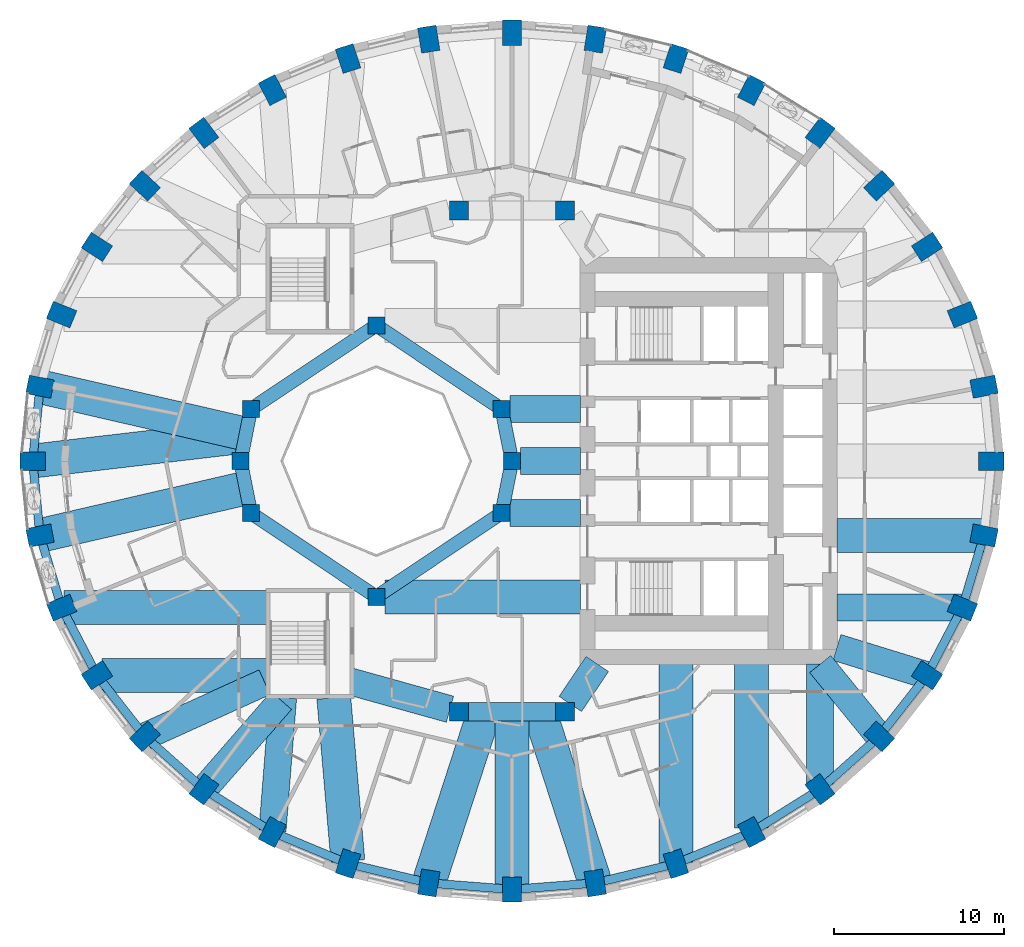
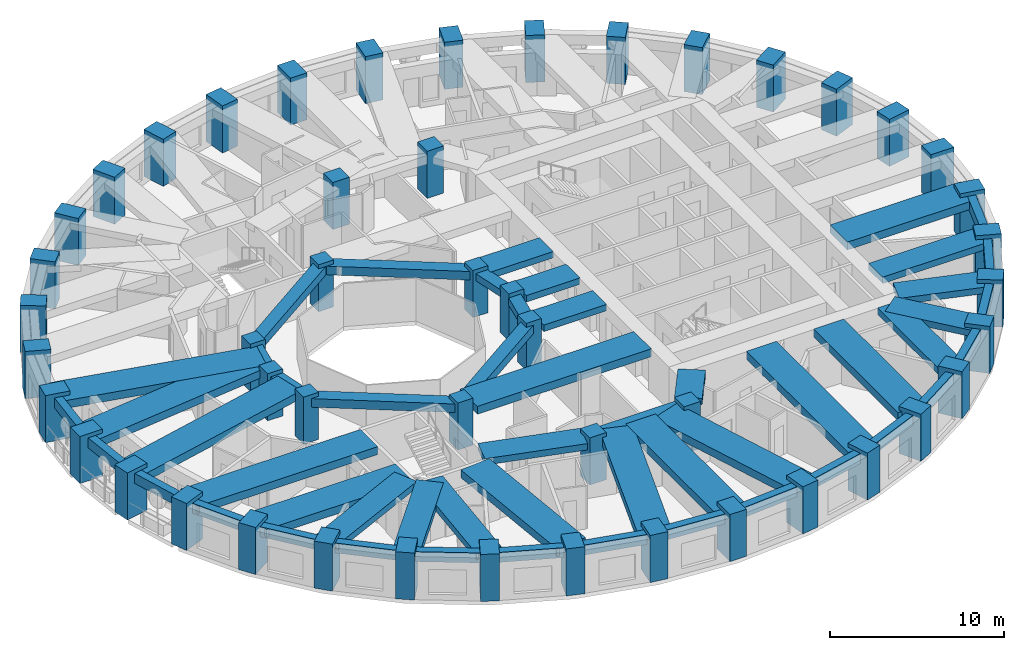
# One storey, part 1 of 14: 52 beams, 48 columns.
"""IFC4 building model written with IfcOpenShell, lengths in metres."""

from ifc_helpers import new_model, si_unit, direction, frame, origin, origin_2d, place, context, subcontext, project, spatial, rectangle, extrude, material, material_profile, profile_set, type_object, element, save


model = new_model("IFC4")

# Units and contexts
model_context = context("Model", 3, precision=1e-05, world=origin(), true_north=direction((0.0, 1.0)))
body_context = subcontext(model_context, "Body", "Model", "MODEL_VIEW")
ifc_project = project(units=[si_unit("LENGTHUNIT", "METRE"), si_unit("AREAUNIT", "SQUARE_METRE"), si_unit("VOLUMEUNIT", "CUBIC_METRE"), si_unit("PLANEANGLEUNIT", "RADIAN"), si_unit("MASSUNIT", "GRAM", prefix="KILO")], contexts=[model_context])

# Site, building, storey
site_placement = place(None, origin())
site = spatial("IfcSite", under=ifc_project, at=site_placement, CompositionType="ELEMENT")
building_placement = place(site_placement, origin())
building = spatial("IfcBuilding", under=site, at=building_placement, Name="Taillehof Tower", CompositionType="ELEMENT")
storey_placement = place(building_placement, frame((0.0, 0.0, 21.699951171875)))
storey = spatial("IfcBuildingStorey", under=building, at=storey_placement, Name="L04", CompositionType="ELEMENT", Elevation=21.699951171875)

# Columns
ifc_material_1 = material(Name="Concrete C50/60", Category="concrete")
ifc_material_profile_1 = material_profile(ifc_material_1, rectangle(XDim=1.0, YDim=1.0, at=origin_2d()), Name="RC 1000x1000")
ifc_profile_set_1 = profile_set([ifc_material_profile_1], Name="Concrete C50/60")
column_type_1 = type_object("IfcColumnType", Name="Atrium ring column C50/60 1000x1000", PredefinedType="COLUMN", material=ifc_profile_set_1)
for number, where, z_axis, x_axis, name in (
    (1, (0.0, 0.0, 0.0), (0.0, 0.0, 1.0), (1.0, 0.0, 0.0), "Column AC01"),
    (2, (-8.0, 8.0, 0.0), (0.0, 0.0, 1.0), (1.0, 0.0, 0.0), "Column AC05"),
    (3, (-16.0, 0.0, 0.0), (0.0, 0.0, 1.0), (1.0, 0.0, 0.0), "Column AC09"),
    (4, (-8.0, -8.0, 0.0), (0.0, 0.0, 1.0), (1.0, 0.0, 0.0), "Column AC13"),
):
    element("IfcColumn", number, at=place(storey_placement, frame(where, z_axis=z_axis, x_axis=x_axis)), inside=storey, type_object=column_type_1, Name=name, PredefinedType="COLUMN", context=body_context, shape_type="SweptSolid", body=[
        extrude(rectangle(XDim=1.0, YDim=1.0, at=origin_2d()), origin(), (0.0, 0.0, 1.0), 3.300048828125),
    ])
ifc_material_2 = material(Name="Concrete C60/75", Category="concrete")
ifc_material_profile_2 = material_profile(ifc_material_2, rectangle(XDim=1.0, YDim=1.0, at=origin_2d()), Name="RC 1000x1000")
ifc_profile_set_2 = profile_set([ifc_material_profile_2], Name="Concrete C60/75")
column_type_2 = type_object("IfcColumnType", Name="Atrium ring column C60/75 1000x1000", PredefinedType="COLUMN", material=ifc_profile_set_2)
for number, where, z_axis, x_axis, name in (
    (5, (-0.60888671875, 3.0615234375, 0.0), (0.0, 0.0, 1.0), (1.0, 0.0, 0.0), "Column AC02"),
    (6, (-15.39111328125, 3.0615234375, 0.0), (0.0, 0.0, 1.0), (1.0, 0.0, 0.0), "Column AC08"),
    (7, (-15.39111328125, -3.0615234375, 0.0), (0.0, 0.0, 1.0), (1.0, 0.0, 0.0), "Column AC10"),
    (8, (-0.60888671875, -3.0615234375, 0.0), (0.0, 0.0, 1.0), (1.0, 0.0, 0.0), "Column AC16"),
):
    element("IfcColumn", number, at=place(storey_placement, frame(where, z_axis=z_axis, x_axis=x_axis)), inside=storey, type_object=column_type_2, Name=name, PredefinedType="COLUMN", context=body_context, shape_type="SweptSolid", body=[
        extrude(rectangle(XDim=1.0, YDim=1.0, at=origin_2d()), origin(), (0.0, 0.0, 1.0), 3.300048828125),
    ])
ifc_material_3 = material(Name="Concrete C60/75", Category="concrete")
ifc_material_profile_3 = material_profile(ifc_material_3, rectangle(XDim=1.10009765625, YDim=1.10009765625, at=origin_2d()), Name="RC 1100x1100")
ifc_profile_set_3 = profile_set([ifc_material_profile_3], Name="Concrete C60/75")
column_type_3 = type_object("IfcColumnType", Name="Mid-ring column C60/75 1100x1100", PredefinedType="COLUMN", material=ifc_profile_set_3)
for number, where, z_axis, x_axis, name in (
    (9, (3.125732421875, 14.772216796875, 0.0), (0.0, 0.0, 1.0), (1.0, 0.0, 0.0), "Column MC05"),
    (10, (3.125732421875, -14.772216796875, 0.0), (0.0, 0.0, 1.0), (1.0, 0.0, 0.0), "Column MC15"),
):
    element("IfcColumn", number, at=place(storey_placement, frame(where, z_axis=z_axis, x_axis=x_axis)), inside=storey, type_object=column_type_3, Name=name, PredefinedType="COLUMN", context=body_context, shape_type="SweptSolid", body=[
        extrude(rectangle(XDim=1.10009765625, YDim=1.10009765625, at=origin_2d()), origin(), (0.0, 0.0, 1.0), 3.300048828125),
    ])
ifc_material_4 = material(Name="Concrete C80/95", Category="concrete")
ifc_material_profile_4 = material_profile(ifc_material_4, rectangle(XDim=1.10009765625, YDim=1.10009765625, at=origin_2d()), Name="RC 1100x1100")
ifc_profile_set_4 = profile_set([ifc_material_profile_4], Name="Concrete C80/95")
column_type_4 = type_object("IfcColumnType", Name="Mid-ring column C80/95 1100x1100", PredefinedType="COLUMN", material=ifc_profile_set_4)
for number, where, z_axis, x_axis, name in (
    (11, (-3.125732421875, 14.772216796875, 0.0), (0.0, 0.0, 1.0), (1.0, 0.0, 0.0), "Column MC06"),
    (12, (-3.125732421875, -14.772216796875, 0.0), (0.0, 0.0, 1.0), (1.0, 0.0, 0.0), "Column MC14"),
):
    element("IfcColumn", number, at=place(storey_placement, frame(where, z_axis=z_axis, x_axis=x_axis)), inside=storey, type_object=column_type_4, Name=name, PredefinedType="COLUMN", context=body_context, shape_type="SweptSolid", body=[
        extrude(rectangle(XDim=1.10009765625, YDim=1.10009765625, at=origin_2d()), origin(), (0.0, 0.0, 1.0), 3.300048828125),
    ])
ifc_material_5 = material(Name="Concrete C70/85", Category="concrete")
ifc_material_profile_5 = material_profile(ifc_material_5, rectangle(XDim=1.5, YDim=1.10009765625, at=origin_2d()), Name="RC 1500x1100")
ifc_profile_set_5 = profile_set([ifc_material_profile_5], Name="Concrete C70/85")
column_type_5 = type_object("IfcColumnType", Name="Ring column C70/85 1500x1100", PredefinedType="COLUMN", material=ifc_profile_set_5)
for number, where, z_axis, x_axis, name in (
    (13, (28.25, 0.0, 0.0), (0.0, 0.0, 1.0), (1.0, 0.0, 0.0), "Ring column RC01"),
    (14, (27.82080078125, 4.384521484375, 0.0), (0.0, 0.0, 1.0), (0.98120354895, 0.192975634545, 0.0), "Ring column RC02"),
    (15, (26.54638671875, 8.635986328125, 0.0), (0.0, 0.0, 1.0), (0.926558045297, 0.37615181602, 0.0), "Ring column RC03"),
    (16, (24.46533203125, 12.625, 0.0), (0.0, 0.0, 1.0), (0.840753565229, 0.541417992456, 0.0), "Ring column RC04"),
    (17, (21.640869140625, 16.23046875, 0.0), (0.0, 0.0, 1.0), (0.730113022917, 0.683326403535, 0.0), "Ring column RC05"),
    (18, (18.15869140625, 19.342529296875, 0.0), (0.0, 0.0, 1.0), (0.601173783055, 0.79911831575, 0.0), "Ring column RC06"),
    (19, (14.125, 21.8671875, 0.0), (0.0, 0.0, 1.0), (0.459691308511, 0.888078769524, 0.0), "Ring column RC07"),
    (20, (9.662109375, 23.727294921875, 0.0), (0.0, 0.0, 1.0), (0.310219183529, 0.950665060981, 0.0), "Ring column RC08"),
    (21, (4.905517578125, 24.866455078125, 0.0), (0.0, 0.0, 1.0), (0.15614709407, 0.987733812833, 0.0), "Ring column RC09"),
    (22, (0.0, 25.25, 0.0), (0.0, 0.0, 1.0), (0.0, 1.0, 0.0), "Ring column RC10"),
    (23, (-4.905517578125, 24.866455078125, 0.0), (0.0, 0.0, 1.0), (-0.15614709407, 0.987733812833, 0.0), "Ring column RC11"),
    (24, (-9.662109375, 23.727294921875, 0.0), (0.0, 0.0, 1.0), (-0.310219183529, 0.950665060981, 0.0), "Ring column RC12"),
    (25, (-14.125, 21.8671875, 0.0), (0.0, 0.0, 1.0), (-0.459691308511, 0.888078769524, 0.0), "Ring column RC13"),
    (26, (-18.15869140625, 19.342529296875, 0.0), (0.0, 0.0, 1.0), (-0.601173783055, 0.79911831575, 0.0), "Ring column RC14"),
    (27, (-21.640869140625, 16.23046875, 0.0), (0.0, 0.0, 1.0), (-0.730113022917, 0.683326403535, 0.0), "Ring column RC15"),
    (28, (-24.46533203125, 12.625, 0.0), (0.0, 0.0, 1.0), (-0.840753565229, 0.541417992456, 0.0), "Ring column RC16"),
    (29, (-26.54638671875, 8.635986328125, 0.0), (0.0, 0.0, 1.0), (-0.926558045297, 0.37615181602, 0.0), "Ring column RC17"),
    (30, (-27.82080078125, 4.384521484375, 0.0), (0.0, 0.0, 1.0), (-0.98120354895, 0.192975634545, 0.0), "Ring column RC18"),
    (31, (-28.25, 0.0, 0.0), (0.0, 0.0, 1.0), (-1.0, 0.0, 0.0), "Ring column RC19"),
    (32, (-27.82080078125, -4.384521484375, 0.0), (0.0, 0.0, 1.0), (-0.98120354895, -0.192975634545, 0.0), "Ring column RC20"),
    (33, (-26.54638671875, -8.635986328125, 0.0), (0.0, 0.0, 1.0), (-0.926558045297, -0.37615181602, 0.0), "Ring column RC21"),
    (34, (-24.46533203125, -12.625, 0.0), (0.0, 0.0, 1.0), (-0.840753565229, -0.541417992456, 0.0), "Ring column RC22"),
    (35, (-21.640869140625, -16.23046875, 0.0), (0.0, 0.0, 1.0), (-0.730113022917, -0.683326403535, 0.0), "Ring column RC23"),
    (36, (-18.15869140625, -19.342529296875, 0.0), (0.0, 0.0, 1.0), (-0.601173783055, -0.79911831575, 0.0), "Ring column RC24"),
    (37, (-14.125, -21.8671875, 0.0), (0.0, 0.0, 1.0), (-0.459691308511, -0.888078769524, 0.0), "Ring column RC25"),
    (38, (-9.662109375, -23.727294921875, 0.0), (0.0, 0.0, 1.0), (-0.310219183529, -0.950665060981, 0.0), "Ring column RC26"),
    (39, (-4.905517578125, -24.866455078125, 0.0), (0.0, 0.0, 1.0), (-0.15614709407, -0.987733812833, 0.0), "Ring column RC27"),
    (40, (0.0, -25.25, 0.0), (0.0, 0.0, 1.0), (0.0, -1.0, 0.0), "Ring column RC28"),
    (41, (4.905517578125, -24.866455078125, 0.0), (0.0, 0.0, 1.0), (0.15614709407, -0.987733812833, 0.0), "Ring column RC29"),
    (42, (9.662109375, -23.727294921875, 0.0), (0.0, 0.0, 1.0), (0.310219183529, -0.950665060981, 0.0), "Ring column RC30"),
    (43, (14.125, -21.8671875, 0.0), (0.0, 0.0, 1.0), (0.459691308511, -0.888078769524, 0.0), "Ring column RC31"),
    (44, (18.15869140625, -19.342529296875, 0.0), (0.0, 0.0, 1.0), (0.601173783055, -0.79911831575, 0.0), "Ring column RC32"),
    (45, (21.640869140625, -16.23046875, 0.0), (0.0, 0.0, 1.0), (0.730113022917, -0.683326403535, 0.0), "Ring column RC33"),
    (46, (24.46533203125, -12.625, 0.0), (0.0, 0.0, 1.0), (0.840753565229, -0.541417992456, 0.0), "Ring column RC34"),
    (47, (26.54638671875, -8.635986328125, 0.0), (0.0, 0.0, 1.0), (0.926558045297, -0.37615181602, 0.0), "Ring column RC35"),
    (48, (27.82080078125, -4.384521484375, 0.0), (0.0, 0.0, 1.0), (0.98120354895, -0.192975634545, 0.0), "Ring column RC36"),
):
    element("IfcColumn", number, at=place(storey_placement, frame(where, z_axis=z_axis, x_axis=x_axis)), inside=storey, type_object=column_type_5, Name=name, PredefinedType="COLUMN", context=body_context, shape_type="SweptSolid", body=[
        extrude(rectangle(XDim=1.5, YDim=1.10009765625, at=origin_2d()), origin(), (0.0, 0.0, 1.0), 3.300048828125),
    ])

# Beams
ifc_material_6 = material(Name="Concrete C50/60", Category="concrete")
ifc_material_profile_6 = material_profile(ifc_material_6, rectangle(XDim=0.800048828125, YDim=0.5, at=origin_2d()), Name="RC 800x500")
ifc_profile_set_6 = profile_set([ifc_material_profile_6], Name="Concrete C50/60")
beam_type_1 = type_object("IfcBeamType", Name="Atrium ring beam C50/60 800x500", PredefinedType="BEAM", material=ifc_profile_set_6)
for number, where, z_axis, x_axis, name in (
    (49, (0.0, 0.0, 2.77001953125), (-0.195063155143, 0.980790683839, 0.0), (-0.980790683839, -0.195063155143, 0.0), "Atrium ring beam AB01"),
    (50, (-15.39111328125, 3.0615234375, 2.77001953125), (-0.195063155143, -0.980790683839, 0.0), (0.980790683839, -0.195063155143, 0.0), "Atrium ring beam AB04"),
    (51, (-16.0, 0.0, 2.77001953125), (0.195063155143, -0.980790683839, 0.0), (0.980790683839, 0.195063155143, 0.0), "Atrium ring beam AB05"),
    (52, (-0.60888671875, -3.0615234375, 2.77001953125), (0.195063155143, 0.980790683839, 0.0), (-0.980790683839, 0.195063155143, 0.0), "Atrium ring beam AB08"),
):
    element("IfcBeam", number, at=place(storey_placement, frame(where, z_axis=z_axis, x_axis=x_axis)), inside=storey, type_object=beam_type_1, Name=name, PredefinedType="BEAM", context=body_context, shape_type="SweptSolid", body=[
        extrude(rectangle(XDim=0.800048828125, YDim=0.5, at=origin_2d()), origin(), (0.0, 0.0, 1.0), 3.12158203125),
    ])
ifc_material_7 = material(Name="Concrete C50/60", Category="concrete")
ifc_material_profile_7 = material_profile(ifc_material_7, rectangle(XDim=0.800048828125, YDim=0.60009765625, at=origin_2d()), Name="RC 800x600")
ifc_profile_set_7 = profile_set([ifc_material_profile_7], Name="Concrete C50/60")
beam_type_2 = type_object("IfcBeamType", Name="Atrium ring beam C50/60 800x600", PredefinedType="BEAM", material=ifc_profile_set_7)
for number, where, z_axis, x_axis, name in (
    (53, (-0.60888671875, 3.0615234375, 2.719970703125), (-0.831475195687, 0.555561876804, 0.0), (-0.555561876804, -0.831475195687, 0.0), "Atrium ring beam AB02"),
    (54, (-8.0, 8.0, 2.719970703125), (-0.831475195687, -0.555561876804, 0.0), (0.555561876804, -0.831475195687, 0.0), "Atrium ring beam AB03"),
    (55, (-15.39111328125, -3.0615234375, 2.719970703125), (0.831475195687, -0.555561876804, 0.0), (0.555561876804, 0.831475195687, 0.0), "Atrium ring beam AB06"),
    (56, (-8.0, -8.0, 2.719970703125), (0.831475195687, 0.555561876804, 0.0), (-0.555561876804, 0.831475195687, 0.0), "Atrium ring beam AB07"),
):
    element("IfcBeam", number, at=place(storey_placement, frame(where, z_axis=z_axis, x_axis=x_axis)), inside=storey, type_object=beam_type_2, Name=name, PredefinedType="BEAM", context=body_context, shape_type="SweptSolid", body=[
        extrude(rectangle(XDim=0.800048828125, YDim=0.60009765625, at=origin_2d()), origin(), (0.0, 0.0, 1.0), 8.88916015625),
    ])
ifc_material_8 = material(Name="Concrete C50/60", Category="concrete")
ifc_material_profile_8 = material_profile(ifc_material_8, rectangle(XDim=1.10009765625, YDim=0.60009765625, at=origin_2d()), Name="RC 1100x600")
ifc_profile_set_8 = profile_set([ifc_material_profile_8], Name="Concrete C50/60")
beam_type_3 = type_object("IfcBeamType", Name="Mid-ring beam C50/60 1100x600", PredefinedType="BEAM", material=ifc_profile_set_8)
beam_1_placement = place(storey_placement, frame((-3.125732421875, -14.772216796875, 2.719970703125), z_axis=(1.0, 0.0, 0.0), x_axis=(0.0, 1.0, 0.0)))
element("IfcBeam", 57, at=beam_1_placement, inside=storey, type_object=beam_type_3, Name="Mid-ring beam MB02", PredefinedType="BEAM", context=body_context, shape_type="SweptSolid", body=[
    extrude(rectangle(XDim=1.10009765625, YDim=0.60009765625, at=origin_2d()), origin(), (0.0, 0.0, 1.0), 6.25146484375),
])
ifc_material_9 = material(Name="Concrete C50/60", Category="concrete")
ifc_material_profile_9 = material_profile(ifc_material_9, rectangle(XDim=1.60009765625, YDim=0.449951171875, at=origin_2d()), Name="RC 1600x450")
ifc_profile_set_9 = profile_set([ifc_material_profile_9], Name="Concrete C50/60")
beam_type_4 = type_object("IfcBeamType", Name="Radial band beam C50/60 1600x450", PredefinedType="BEAM", material=ifc_profile_set_9)
beam_2_placement = place(storey_placement, frame((-21.632568359375, -16.226806640625, 2.795166015625), z_axis=(0.911100590789, 0.412184077161, 0.0), x_axis=(-0.412184077161, 0.911100590789, 0.0)))
element("IfcBeam", 58, at=beam_2_placement, inside=storey, type_object=beam_type_4, Name="Radial band beam RB23", PredefinedType="BEAM", context=body_context, shape_type="SweptSolid", body=[
    extrude(rectangle(XDim=1.60009765625, YDim=0.449951171875, at=origin_2d()), origin(), (0.0, 0.0, 1.0), 7.740966796875),
])
beam_3_placement = place(storey_placement, frame((-18.15869140625, -19.342529296875, 2.795166015625), z_axis=(0.65721824087, 0.753700327628, 0.0), x_axis=(-0.753700327628, 0.65721824087, 0.0)))
element("IfcBeam", 59, at=beam_3_placement, inside=storey, type_object=beam_type_4, Name="Radial band beam RB24", PredefinedType="BEAM", context=body_context, shape_type="SweptSolid", body=[
    extrude(rectangle(XDim=1.60009765625, YDim=0.449951171875, at=origin_2d()), origin(), (0.0, 0.0, 1.0), 6.9384765625),
])
beam_4_placement = place(storey_placement, frame((-14.119873046875, -21.802978515625, 2.795166015625), z_axis=(0.079184740988, 0.996859958467, 0.0), x_axis=(-0.996859958467, 0.079184740988, 0.0)))
element("IfcBeam", 60, at=beam_4_placement, inside=storey, type_object=beam_type_4, Name="Radial band beam RB25", PredefinedType="BEAM", context=body_context, shape_type="SweptSolid", body=[
    extrude(rectangle(XDim=1.60009765625, YDim=0.449951171875, at=origin_2d()), origin(), (0.0, 0.0, 1.0), 7.87744140625),
])
beam_5_placement = place(storey_placement, frame((18.15869140625, -19.05517578125, 2.795166015625), z_axis=(0.0, 1.0, 0.0), x_axis=(-1.0, 0.0, 0.0)))
element("IfcBeam", 61, at=beam_5_placement, inside=storey, type_object=beam_type_4, Name="Radial band beam RB32", PredefinedType="BEAM", context=body_context, shape_type="SweptSolid", body=[
    extrude(rectangle(XDim=1.60009765625, YDim=0.449951171875, at=origin_2d()), origin(), (0.0, 0.0, 1.0), 7.105224609375),
])
beam_6_placement = place(storey_placement, frame((21.640869140625, -16.23046875, 2.795166015625), z_axis=(-0.630988373846, 0.775792286679, 0.0), x_axis=(-0.775792286679, -0.630988373846, 0.0)))
element("IfcBeam", 62, at=beam_6_placement, inside=storey, type_object=beam_type_4, Name="Radial band beam RB33", PredefinedType="BEAM", context=body_context, shape_type="SweptSolid", body=[
    extrude(rectangle(XDim=1.60009765625, YDim=0.449951171875, at=origin_2d()), origin(), (0.0, 0.0, 1.0), 5.503173828125),
])
beam_7_placement = place(storey_placement, frame((24.46533203125, -12.625, 2.795166015625), z_axis=(-0.955535654338, 0.294875589511, 0.0), x_axis=(-0.294875589511, -0.955535654338, 0.0)))
element("IfcBeam", 63, at=beam_7_placement, inside=storey, type_object=beam_type_4, Name="Radial band beam RB34", PredefinedType="BEAM", context=body_context, shape_type="SweptSolid", body=[
    extrude(rectangle(XDim=1.60009765625, YDim=0.449951171875, at=origin_2d()), origin(), (0.0, 0.0, 1.0), 5.560546875),
])
beam_8_placement = place(storey_placement, frame((26.490478515625, -8.635986328125, 2.795166015625), z_axis=(-1.0, 0.0, 0.0), x_axis=(0.0, -1.0, 0.0)))
element("IfcBeam", 64, at=beam_8_placement, inside=storey, type_object=beam_type_4, Name="Radial band beam RB35", PredefinedType="BEAM", context=body_context, shape_type="SweptSolid", body=[
    extrude(rectangle(XDim=1.60009765625, YDim=0.449951171875, at=origin_2d()), origin(), (0.0, 0.0, 1.0), 7.340576171875),
])
beam_9_placement = place(storey_placement, frame((0.5, 0.0, 2.795166015625), z_axis=(1.0, 0.0, 0.0), x_axis=(0.0, 1.0, 0.0)))
element("IfcBeam", 65, at=beam_9_placement, inside=storey, type_object=beam_type_4, Name="Inner band beam IB101", PredefinedType="BEAM", context=body_context, shape_type="SweptSolid", body=[
    extrude(rectangle(XDim=1.60009765625, YDim=0.449951171875, at=origin_2d()), origin(), (0.0, 0.0, 1.0), 3.550048828125),
])
for number, where, z_axis, x_axis, name in (
    (66, (-0.10888671875, 3.0615234375, 2.795166015625), (1.0, 0.0, 0.0), (0.0, 1.0, 0.0), "Inner band beam IB102"),
    (67, (-0.10888671875, -3.0615234375, 2.795166015625), (1.0, 0.0, 0.0), (0.0, 1.0, 0.0), "Inner band beam IB116"),
):
    element("IfcBeam", number, at=place(storey_placement, frame(where, z_axis=z_axis, x_axis=x_axis)), inside=storey, type_object=beam_type_4, Name=name, PredefinedType="BEAM", context=body_context, shape_type="SweptSolid", body=[
        extrude(rectangle(XDim=1.60009765625, YDim=0.449951171875, at=origin_2d()), origin(), (0.0, 0.0, 1.0), 4.158935546875),
    ])
beam_10_placement = place(storey_placement, frame((-3.655517578125, -14.624755859375, 2.795166015625), z_axis=(-0.963459369536, 0.267854518821, 0.0), x_axis=(-0.267854518821, -0.963459369536, 0.0)))
element("IfcBeam", 68, at=beam_10_placement, inside=storey, type_object=beam_type_4, Name="Inner band beam IB214", PredefinedType="BEAM", context=body_context, shape_type="SweptSolid", body=[
    extrude(rectangle(XDim=1.60009765625, YDim=0.449951171875, at=origin_2d()), origin(), (0.0, 0.0, 1.0), 6.096923828125),
])
beam_11_placement = place(storey_placement, frame((3.433837890625, -14.31640625, 2.795166015625), z_axis=(0.560112043398, 0.828416862962, 0.0), x_axis=(-0.828416862962, 0.560112043398, 0.0)))
element("IfcBeam", 69, at=beam_11_placement, inside=storey, type_object=beam_type_4, Name="Inner band beam IB215", PredefinedType="BEAM", context=body_context, shape_type="SweptSolid", body=[
    extrude(rectangle(XDim=1.60009765625, YDim=0.449951171875, at=origin_2d()), origin(), (0.0, 0.0, 1.0), 2.84619140625),
])
ifc_material_10 = material(Name="Concrete C50/60", Category="concrete")
ifc_material_profile_10 = material_profile(ifc_material_10, rectangle(XDim=2.0, YDim=0.550048828125, at=origin_2d()), Name="RC 2000x550")
ifc_profile_set_10 = profile_set([ifc_material_profile_10], Name="Concrete C50/60")
beam_type_5 = type_object("IfcBeamType", Name="Radial band beam C50/60 2000x550", PredefinedType="BEAM", material=ifc_profile_set_10)
beam_12_placement = place(storey_placement, frame((-27.82080078125, 4.384521484375, 2.7451171875), z_axis=(0.974509005862, -0.2243483842, 0.0), x_axis=(0.2243483842, 0.974509005862, 0.0)))
element("IfcBeam", 70, at=beam_12_placement, inside=storey, type_object=beam_type_5, Name="Radial band beam RB18", PredefinedType="BEAM", context=body_context, shape_type="SweptSolid", body=[
    extrude(rectangle(XDim=2.0, YDim=0.550048828125, at=origin_2d()), origin(), (0.0, 0.0, 1.0), 12.45458984375),
])
beam_13_placement = place(storey_placement, frame((-28.25, 0.0, 2.7451171875), z_axis=(0.993191188018, 0.11649576835, 0.0), x_axis=(-0.11649576835, 0.993191188018, 0.0)))
element("IfcBeam", 71, at=beam_13_placement, inside=storey, type_object=beam_type_5, Name="Radial band beam RB19", PredefinedType="BEAM", context=body_context, shape_type="SweptSolid", body=[
    extrude(rectangle(XDim=2.0, YDim=0.550048828125, at=origin_2d()), origin(), (0.0, 0.0, 1.0), 12.628662109375),
])
beam_14_placement = place(storey_placement, frame((-27.82080078125, -4.384521484375, 2.7451171875), z_axis=(0.974509005862, 0.2243483842, 0.0), x_axis=(-0.2243483842, 0.974509005862, 0.0)))
element("IfcBeam", 72, at=beam_14_placement, inside=storey, type_object=beam_type_5, Name="Radial band beam RB20", PredefinedType="BEAM", context=body_context, shape_type="SweptSolid", body=[
    extrude(rectangle(XDim=2.0, YDim=0.550048828125, at=origin_2d()), origin(), (0.0, 0.0, 1.0), 12.45458984375),
])
beam_15_placement = place(storey_placement, frame((-26.408935546875, -8.635986328125, 2.7451171875), z_axis=(1.0, 0.0, 0.0), x_axis=(0.0, 1.0, 0.0)))
element("IfcBeam", 73, at=beam_15_placement, inside=storey, type_object=beam_type_5, Name="Radial band beam RB21", PredefinedType="BEAM", context=body_context, shape_type="SweptSolid", body=[
    extrude(rectangle(XDim=2.0, YDim=0.550048828125, at=origin_2d()), origin(), (0.0, 0.0, 1.0), 11.958984375),
])
beam_16_placement = place(storey_placement, frame((-24.172607421875, -12.625, 2.7451171875), z_axis=(1.0, 0.0, 0.0), x_axis=(0.0, 1.0, 0.0)))
element("IfcBeam", 74, at=beam_16_placement, inside=storey, type_object=beam_type_5, Name="Radial band beam RB22", PredefinedType="BEAM", context=body_context, shape_type="SweptSolid", body=[
    extrude(rectangle(XDim=2.0, YDim=0.550048828125, at=origin_2d()), origin(), (0.0, 0.0, 1.0), 9.72265625),
])
beam_17_placement = place(storey_placement, frame((-9.675048828125, -23.575927734375, 2.7451171875), z_axis=(-0.085841202752, 0.996308831593, 0.0), x_axis=(-0.996308831593, -0.085841202752, 0.0)))
element("IfcBeam", 75, at=beam_17_placement, inside=storey, type_object=beam_type_5, Name="Radial band beam RB26", PredefinedType="BEAM", context=body_context, shape_type="SweptSolid", body=[
    extrude(rectangle(XDim=2.0, YDim=0.550048828125, at=origin_2d()), origin(), (0.0, 0.0, 1.0), 9.661376953125),
])
beam_18_placement = place(storey_placement, frame((-4.905517578125, -24.866455078125, 2.7451171875), z_axis=(0.309014294595, 0.951057393503, 0.0), x_axis=(-0.951057393503, 0.309014294595, 0.0)))
element("IfcBeam", 76, at=beam_18_placement, inside=storey, type_object=beam_type_5, Name="Radial band beam RB27", PredefinedType="BEAM", context=body_context, shape_type="SweptSolid", body=[
    extrude(rectangle(XDim=2.0, YDim=0.550048828125, at=origin_2d()), origin(), (0.0, 0.0, 1.0), 10.61376953125),
])
beam_19_placement = place(storey_placement, frame((0.0, -25.25, 2.7451171875), z_axis=(0.0, 1.0, 0.0), x_axis=(-1.0, 0.0, 0.0)))
element("IfcBeam", 77, at=beam_19_placement, inside=storey, type_object=beam_type_5, Name="Radial band beam RB28", PredefinedType="BEAM", context=body_context, shape_type="SweptSolid", body=[
    extrude(rectangle(XDim=2.0, YDim=0.550048828125, at=origin_2d()), origin(), (0.0, 0.0, 1.0), 10.477783203125),
])
beam_20_placement = place(storey_placement, frame((4.905517578125, -24.866455078125, 2.7451171875), z_axis=(-0.309014294595, 0.951057393503, 0.0), x_axis=(-0.951057393503, -0.309014294595, 0.0)))
element("IfcBeam", 78, at=beam_20_placement, inside=storey, type_object=beam_type_5, Name="Radial band beam RB29", PredefinedType="BEAM", context=body_context, shape_type="SweptSolid", body=[
    extrude(rectangle(XDim=2.0, YDim=0.550048828125, at=origin_2d()), origin(), (0.0, 0.0, 1.0), 10.61376953125),
])
beam_21_placement = place(storey_placement, frame((9.662109375, -23.664794921875, 2.7451171875), z_axis=(0.0, 1.0, 0.0), x_axis=(-1.0, 0.0, 0.0)))
element("IfcBeam", 79, at=beam_21_placement, inside=storey, type_object=beam_type_5, Name="Radial band beam RB30", PredefinedType="BEAM", context=body_context, shape_type="SweptSolid", body=[
    extrude(rectangle(XDim=2.0, YDim=0.550048828125, at=origin_2d()), origin(), (0.0, 0.0, 1.0), 11.71484375),
])
beam_22_placement = place(storey_placement, frame((14.125, -21.63232421875, 2.7451171875), z_axis=(0.0, 1.0, 0.0), x_axis=(-1.0, 0.0, 0.0)))
element("IfcBeam", 80, at=beam_22_placement, inside=storey, type_object=beam_type_5, Name="Radial band beam RB31", PredefinedType="BEAM", context=body_context, shape_type="SweptSolid", body=[
    extrude(rectangle(XDim=2.0, YDim=0.550048828125, at=origin_2d()), origin(), (0.0, 0.0, 1.0), 9.682373046875),
])
beam_23_placement = place(storey_placement, frame((27.82080078125, -4.384521484375, 2.7451171875), z_axis=(-1.0, 0.0, 0.0), x_axis=(0.0, -1.0, 0.0)))
element("IfcBeam", 81, at=beam_23_placement, inside=storey, type_object=beam_type_5, Name="Radial band beam RB36", PredefinedType="BEAM", context=body_context, shape_type="SweptSolid", body=[
    extrude(rectangle(XDim=2.0, YDim=0.550048828125, at=origin_2d()), origin(), (0.0, 0.0, 1.0), 8.6708984375),
])
beam_24_placement = place(storey_placement, frame((-7.5, -8.0, 2.7451171875), z_axis=(1.0, 0.0, 0.0), x_axis=(0.0, 1.0, 0.0)))
element("IfcBeam", 82, at=beam_24_placement, inside=storey, type_object=beam_type_5, Name="Inner band beam IB113", PredefinedType="BEAM", context=body_context, shape_type="SweptSolid", body=[
    extrude(rectangle(XDim=2.0, YDim=0.550048828125, at=origin_2d()), origin(), (0.0, 0.0, 1.0), 11.550048828125),
])
ifc_material_11 = material(Name="Concrete C50/60", Category="concrete")
ifc_material_profile_11 = material_profile(ifc_material_11, rectangle(XDim=0.5, YDim=0.699951171875, at=origin_2d()), Name="RC 500x700")
ifc_profile_set_11 = profile_set([ifc_material_profile_11], Name="Concrete C50/60")
beam_type_6 = type_object("IfcBeamType", Name="Spandrel beam C50/60 500x700", PredefinedType="SPANDREL", material=ifc_profile_set_11)
for number, where, z_axis, x_axis, name in (
    (83, (-27.82080078125, 4.384521484375, 2.670166015625), (-0.097423973567, -0.99524297002, 0.0), (0.99524297002, -0.097423973567, 0.0), "Spandrel beam SB18"),
    (84, (-28.25, 0.0, 2.670166015625), (0.097423973567, -0.99524297002, 0.0), (0.99524297002, 0.097423973567, 0.0), "Spandrel beam SB19"),
):
    element("IfcBeam", number, at=place(storey_placement, frame(where, z_axis=z_axis, x_axis=x_axis)), inside=storey, type_object=beam_type_6, Name=name, PredefinedType="SPANDREL", context=body_context, shape_type="SweptSolid", body=[
        extrude(rectangle(XDim=0.5, YDim=0.699951171875, at=origin_2d()), origin(), (0.0, 0.0, 1.0), 4.405517578125),
    ])
beam_25_placement = place(storey_placement, frame((-27.82080078125, -4.384521484375, 2.670166015625), z_axis=(0.287135925407, -0.957889847707, 0.0), x_axis=(0.957889847707, 0.287135925407, 0.0)))
element("IfcBeam", 85, at=beam_25_placement, inside=storey, type_object=beam_type_6, Name="Spandrel beam SB20", PredefinedType="SPANDREL", context=body_context, shape_type="SweptSolid", body=[
    extrude(rectangle(XDim=0.5, YDim=0.699951171875, at=origin_2d()), origin(), (0.0, 0.0, 1.0), 4.4384765625),
])
beam_26_placement = place(storey_placement, frame((-26.54638671875, -8.635986328125, 2.670166015625), z_axis=(0.462536335232, -0.886600326297, 0.0), x_axis=(0.886600326297, 0.462536335232, 0.0)))
element("IfcBeam", 86, at=beam_26_placement, inside=storey, type_object=beam_type_6, Name="Spandrel beam SB21", PredefinedType="SPANDREL", context=body_context, shape_type="SweptSolid", body=[
    extrude(rectangle(XDim=0.5, YDim=0.699951171875, at=origin_2d()), origin(), (0.0, 0.0, 1.0), 4.499267578125),
])
beam_27_placement = place(storey_placement, frame((-24.46533203125, -12.625, 2.670166015625), z_axis=(0.616686200373, -0.787209076593, 0.0), x_axis=(0.787209076593, 0.616686200373, 0.0)))
element("IfcBeam", 87, at=beam_27_placement, inside=storey, type_object=beam_type_6, Name="Spandrel beam SB22", PredefinedType="SPANDREL", context=body_context, shape_type="SweptSolid", body=[
    extrude(rectangle(XDim=0.5, YDim=0.699951171875, at=origin_2d()), origin(), (0.0, 0.0, 1.0), 4.580078125),
])
beam_28_placement = place(storey_placement, frame((-21.640869140625, -16.23046875, 2.670166015625), z_axis=(0.745621283614, -0.666369943366, 0.0), x_axis=(0.666369943366, 0.745621283614, 0.0)))
element("IfcBeam", 88, at=beam_28_placement, inside=storey, type_object=beam_type_6, Name="Spandrel beam SB23", PredefinedType="SPANDREL", context=body_context, shape_type="SweptSolid", body=[
    extrude(rectangle(XDim=0.5, YDim=0.699951171875, at=origin_2d()), origin(), (0.0, 0.0, 1.0), 4.670166015625),
])
beam_29_placement = place(storey_placement, frame((-18.15869140625, -19.342529296875, 2.670166015625), z_axis=(0.847658018883, -0.530543007703, 0.0), x_axis=(0.530543007703, 0.847658018883, 0.0)))
element("IfcBeam", 89, at=beam_29_placement, inside=storey, type_object=beam_type_6, Name="Spandrel beam SB24", PredefinedType="SPANDREL", context=body_context, shape_type="SweptSolid", body=[
    extrude(rectangle(XDim=0.5, YDim=0.699951171875, at=origin_2d()), origin(), (0.0, 0.0, 1.0), 4.758544921875),
])
beam_30_placement = place(storey_placement, frame((-14.125, -21.8671875, 2.670166015625), z_axis=(0.923035088053, -0.384715773297, 0.0), x_axis=(0.384715773297, 0.923035088053, 0.0)))
element("IfcBeam", 90, at=beam_30_placement, inside=storey, type_object=beam_type_6, Name="Spandrel beam SB25", PredefinedType="SPANDREL", context=body_context, shape_type="SweptSolid", body=[
    extrude(rectangle(XDim=0.5, YDim=0.699951171875, at=origin_2d()), origin(), (0.0, 0.0, 1.0), 4.8349609375),
])
beam_31_placement = place(storey_placement, frame((-9.662109375, -23.727294921875, 2.670166015625), z_axis=(0.9724995553, -0.232904733616, 0.0), x_axis=(0.232904733616, 0.9724995553, 0.0)))
element("IfcBeam", 91, at=beam_31_placement, inside=storey, type_object=beam_type_6, Name="Spandrel beam SB26", PredefinedType="SPANDREL", context=body_context, shape_type="SweptSolid", body=[
    extrude(rectangle(XDim=0.5, YDim=0.699951171875, at=origin_2d()), origin(), (0.0, 0.0, 1.0), 4.89111328125),
])
for number, where, z_axis, x_axis, name in (
    (92, (-4.905517578125, -24.866455078125, 2.670166015625), (0.996957383661, -0.077948541767, 0.0), (0.077948541767, 0.996957383661, 0.0), "Spandrel beam SB27"),
    (93, (0.0, -25.25, 2.670166015625), (0.996957383661, 0.077948541767, 0.0), (-0.077948541767, 0.996957383661, 0.0), "Spandrel beam SB28"),
):
    element("IfcBeam", number, at=place(storey_placement, frame(where, z_axis=z_axis, x_axis=x_axis)), inside=storey, type_object=beam_type_6, Name=name, PredefinedType="SPANDREL", context=body_context, shape_type="SweptSolid", body=[
        extrude(rectangle(XDim=0.5, YDim=0.699951171875, at=origin_2d()), origin(), (0.0, 0.0, 1.0), 4.92041015625),
    ])
beam_32_placement = place(storey_placement, frame((4.905517578125, -24.866455078125, 2.670166015625), z_axis=(0.9724995553, 0.232904733616, 0.0), x_axis=(-0.232904733616, 0.9724995553, 0.0)))
element("IfcBeam", 94, at=beam_32_placement, inside=storey, type_object=beam_type_6, Name="Spandrel beam SB29", PredefinedType="SPANDREL", context=body_context, shape_type="SweptSolid", body=[
    extrude(rectangle(XDim=0.5, YDim=0.699951171875, at=origin_2d()), origin(), (0.0, 0.0, 1.0), 4.89111328125),
])
beam_33_placement = place(storey_placement, frame((9.662109375, -23.727294921875, 2.670166015625), z_axis=(0.923035088053, 0.384715773297, 0.0), x_axis=(-0.384715773297, 0.923035088053, 0.0)))
element("IfcBeam", 95, at=beam_33_placement, inside=storey, type_object=beam_type_6, Name="Spandrel beam SB30", PredefinedType="SPANDREL", context=body_context, shape_type="SweptSolid", body=[
    extrude(rectangle(XDim=0.5, YDim=0.699951171875, at=origin_2d()), origin(), (0.0, 0.0, 1.0), 4.8349609375),
])
beam_34_placement = place(storey_placement, frame((14.125, -21.8671875, 2.670166015625), z_axis=(0.847658018883, 0.530543007703, 0.0), x_axis=(-0.530543007703, 0.847658018883, 0.0)))
element("IfcBeam", 96, at=beam_34_placement, inside=storey, type_object=beam_type_6, Name="Spandrel beam SB31", PredefinedType="SPANDREL", context=body_context, shape_type="SweptSolid", body=[
    extrude(rectangle(XDim=0.5, YDim=0.699951171875, at=origin_2d()), origin(), (0.0, 0.0, 1.0), 4.758544921875),
])
beam_35_placement = place(storey_placement, frame((18.15869140625, -19.342529296875, 2.670166015625), z_axis=(0.745621283614, 0.666369943366, 0.0), x_axis=(-0.666369943366, 0.745621283614, 0.0)))
element("IfcBeam", 97, at=beam_35_placement, inside=storey, type_object=beam_type_6, Name="Spandrel beam SB32", PredefinedType="SPANDREL", context=body_context, shape_type="SweptSolid", body=[
    extrude(rectangle(XDim=0.5, YDim=0.699951171875, at=origin_2d()), origin(), (0.0, 0.0, 1.0), 4.670166015625),
])
beam_36_placement = place(storey_placement, frame((21.640869140625, -16.23046875, 2.670166015625), z_axis=(0.616686200373, 0.787209076593, 0.0), x_axis=(-0.787209076593, 0.616686200373, 0.0)))
element("IfcBeam", 98, at=beam_36_placement, inside=storey, type_object=beam_type_6, Name="Spandrel beam SB33", PredefinedType="SPANDREL", context=body_context, shape_type="SweptSolid", body=[
    extrude(rectangle(XDim=0.5, YDim=0.699951171875, at=origin_2d()), origin(), (0.0, 0.0, 1.0), 4.580078125),
])
beam_37_placement = place(storey_placement, frame((24.46533203125, -12.625, 2.670166015625), z_axis=(0.462536335232, 0.886600326297, 0.0), x_axis=(-0.886600326297, 0.462536335232, 0.0)))
element("IfcBeam", 99, at=beam_37_placement, inside=storey, type_object=beam_type_6, Name="Spandrel beam SB34", PredefinedType="SPANDREL", context=body_context, shape_type="SweptSolid", body=[
    extrude(rectangle(XDim=0.5, YDim=0.699951171875, at=origin_2d()), origin(), (0.0, 0.0, 1.0), 4.499267578125),
])
beam_38_placement = place(storey_placement, frame((26.54638671875, -8.635986328125, 2.670166015625), z_axis=(0.287135925407, 0.957889847707, 0.0), x_axis=(-0.957889847707, 0.287135925407, 0.0)))
element("IfcBeam", 100, at=beam_38_placement, inside=storey, type_object=beam_type_6, Name="Spandrel beam SB35", PredefinedType="SPANDREL", context=body_context, shape_type="SweptSolid", body=[
    extrude(rectangle(XDim=0.5, YDim=0.699951171875, at=origin_2d()), origin(), (0.0, 0.0, 1.0), 4.4384765625),
])

save(model, "model.ifc")
